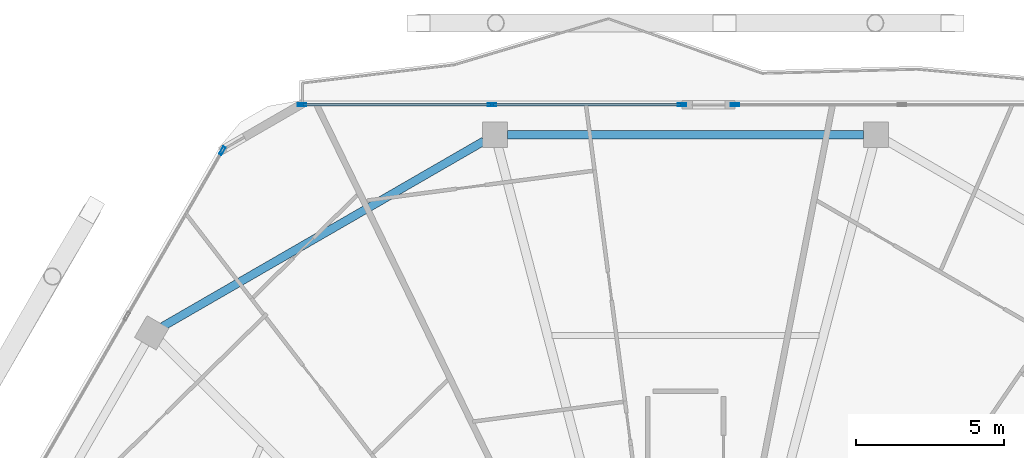
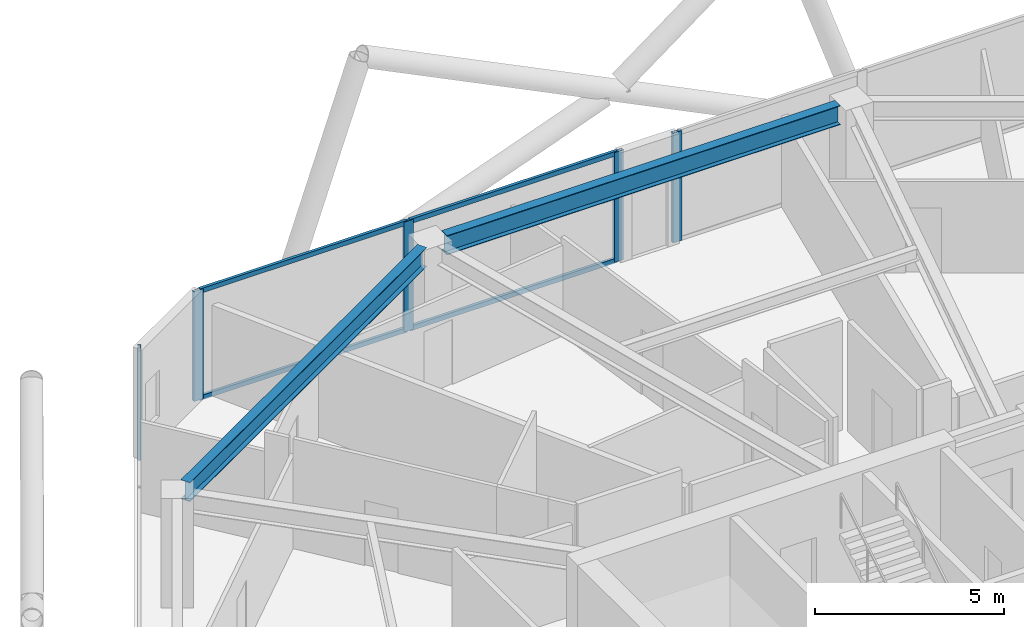
# One storey, part 15 of 27: 9 members, 2 beams, 3 elements without a shape of their own.
"""IFC4 building model written with IfcOpenShell, lengths in metres."""

from ifc_helpers import new_model, si_unit, direction, frame, origin, origin_2d, place, context, subcontext, project, spatial, hollow_rectangle, i_section, extrude, material, material_profile, profile_set, type_object, element, aggregate, save


model = new_model("IFC4")

# Units and contexts
model_context = context("Model", 3, precision=1e-05, world=origin(), true_north=direction((0.0, 1.0)))
body_context = subcontext(model_context, "Body", "Model", "MODEL_VIEW")
ifc_project = project(units=[si_unit("LENGTHUNIT", "METRE"), si_unit("AREAUNIT", "SQUARE_METRE"), si_unit("VOLUMEUNIT", "CUBIC_METRE"), si_unit("PLANEANGLEUNIT", "RADIAN"), si_unit("MASSUNIT", "GRAM", prefix="KILO")], contexts=[model_context])

# Site, building, storey
site_placement = place(None, origin())
site = spatial("IfcSite", under=ifc_project, at=site_placement, CompositionType="ELEMENT")
building_placement = place(site_placement, origin())
building = spatial("IfcBuilding", under=site, at=building_placement, Name="Zuhravey Tower", CompositionType="ELEMENT")
storey_placement = place(building_placement, frame((0.0, 0.0, 276.800048828125)))
storey = spatial("IfcBuildingStorey", under=building, at=storey_placement, Name="L70", CompositionType="ELEMENT", Elevation=276.800048828125)

# Curtain wall, member
ifc_material_1 = material(Name="Thermally broken anodised aluminium", Category="aluminium")
curtain_wall_type = type_object("IfcCurtainWallType", Name="Zone 3-4 High-Rise Curtain Wall CW4", PredefinedType="NOTDEFINED", material=ifc_material_1)
curtain_wall_1_placement = place(storey_placement, origin())
curtain_wall_1 = element("IfcCurtainWall", 1, at=curtain_wall_1_placement, inside=storey, type_object=curtain_wall_type, Name="L70 CW4 CW-L70-F3-1", PredefinedType="NOTDEFINED")
ifc_material_2 = material(Name="Anodised aluminium", Category="aluminium")
ifc_material_profile_1 = material_profile(ifc_material_2, hollow_rectangle(XDim=0.090087890625, YDim=0.284912109375, WallThickness=0.0048828125, at=origin_2d()), Name="ALU-RHS-90x285x5")
ifc_profile_set_1 = profile_set([ifc_material_profile_1], Name="Anodised aluminium")
member_type_1 = type_object("IfcMemberType", Name="Curtain-Wall Mullion 90x180", PredefinedType="MULLION", material=ifc_profile_set_1)
member_1_placement = place(storey_placement, frame((20.34521484375, 56.01220703125, 0.0), z_axis=(0.0, 0.0, 1.0), x_axis=(-0.866024851021, 0.500000957414, 0.0)))
member_1 = element("IfcMember", 2, at=member_1_placement, type_object=member_type_1, Name="CW4 mullion 5", PredefinedType="MULLION", context=body_context, shape_type="SweptSolid", body=[
    extrude(hollow_rectangle(XDim=0.090087890625, YDim=0.284912109375, WallThickness=0.0048828125, at=origin_2d()), origin(), (0.0, 0.0, 1.0), 3.550048828125),
])
aggregate(curtain_wall_1, [member_1])

# Curtain wall, members
curtain_wall_2_placement = place(storey_placement, origin())
curtain_wall_2 = element("IfcCurtainWall", 3, at=curtain_wall_2_placement, inside=storey, type_object=curtain_wall_type, Name="L70 CW4 CW-L70-F2-1", PredefinedType="NOTDEFINED")
member_2_placement = place(storey_placement, frame((23.0322265625, 57.563720703125, 0.0), z_axis=(0.0, 0.0, 1.0), x_axis=(0.0, 1.0, 0.0)))
member_2 = element("IfcMember", 4, at=member_2_placement, type_object=member_type_1, Name="CW4 mullion 1", PredefinedType="MULLION", context=body_context, shape_type="SweptSolid", body=[
    extrude(hollow_rectangle(XDim=0.090087890625, YDim=0.284912109375, WallThickness=0.0048828125, at=origin_2d()), origin(), (0.0, 0.0, 1.0), 3.550048828125),
])
member_3_placement = place(storey_placement, frame((29.45849609375, 57.563720703125, 0.0), z_axis=(0.0, 0.0, 1.0), x_axis=(0.0, 1.0, 0.0)))
member_3 = element("IfcMember", 5, at=member_3_placement, type_object=member_type_1, Name="CW4 mullion 2", PredefinedType="MULLION", context=body_context, shape_type="SweptSolid", body=[
    extrude(hollow_rectangle(XDim=0.090087890625, YDim=0.284912109375, WallThickness=0.0048828125, at=origin_2d()), origin(), (0.0, 0.0, 1.0), 3.550048828125),
])
member_4_placement = place(storey_placement, frame((35.884521484375, 57.563720703125, 0.0), z_axis=(0.0, 0.0, 1.0), x_axis=(0.0, 1.0, 0.0)))
member_4 = element("IfcMember", 6, at=member_4_placement, type_object=member_type_1, Name="CW4 mullion 3", PredefinedType="MULLION", context=body_context, shape_type="SweptSolid", body=[
    extrude(hollow_rectangle(XDim=0.090087890625, YDim=0.284912109375, WallThickness=0.0048828125, at=origin_2d()), origin(), (0.0, 0.0, 1.0), 3.550048828125),
])

# Curtain wall, member
curtain_wall_3_placement = place(storey_placement, origin())
curtain_wall_3 = element("IfcCurtainWall", 7, at=curtain_wall_3_placement, inside=storey, type_object=curtain_wall_type, Name="L70 CW4 CW-L70-F2-2", PredefinedType="NOTDEFINED")
member_5_placement = place(storey_placement, frame((37.674560546875, 57.563720703125, 0.0), z_axis=(0.0, 0.0, 1.0), x_axis=(0.0, 1.0, 0.0)))
member_5 = element("IfcMember", 8, at=member_5_placement, type_object=member_type_1, Name="CW4 mullion 1", PredefinedType="MULLION", context=body_context, shape_type="SweptSolid", body=[
    extrude(hollow_rectangle(XDim=0.090087890625, YDim=0.284912109375, WallThickness=0.0048828125, at=origin_2d()), origin(), (0.0, 0.0, 1.0), 3.550048828125),
])
aggregate(curtain_wall_3, [member_5])

# Member
ifc_material_profile_2 = material_profile(ifc_material_2, hollow_rectangle(XDim=0.090087890625, YDim=0.14990234375, WallThickness=0.0048828125, at=origin_2d()), Name="ALU-RHS-90x150x5")
ifc_profile_set_2 = profile_set([ifc_material_profile_2], Name="Anodised aluminium")
member_type_2 = type_object("IfcMemberType", Name="Curtain-Wall Transom 90x150", PredefinedType="USERDEFINED", material=ifc_profile_set_2)
member_6_placement = place(storey_placement, frame((23.077392578125, 57.563720703125, 0.044921875), z_axis=(1.0, 0.0, 0.0), x_axis=(0.0, 1.0, 0.0)))
member_6 = element("IfcMember", 9, at=member_6_placement, type_object=member_type_2, Name="CW4 transom 1.1", ObjectType="TRANSOM", PredefinedType="USERDEFINED", context=body_context, shape_type="SweptSolid", body=[
    extrude(hollow_rectangle(XDim=0.090087890625, YDim=0.14990234375, WallThickness=0.0048828125, at=origin_2d()), origin(), (0.0, 0.0, 1.0), 6.3359375),
])

member_7_placement = place(storey_placement, frame((23.077392578125, 57.563720703125, 3.5048828125), z_axis=(1.0, 0.0, 0.0), x_axis=(0.0, 1.0, 0.0)))
member_7 = element("IfcMember", 10, at=member_7_placement, type_object=member_type_2, Name="CW4 transom 1.2", ObjectType="TRANSOM", PredefinedType="USERDEFINED", context=body_context, shape_type="SweptSolid", body=[
    extrude(hollow_rectangle(XDim=0.090087890625, YDim=0.14990234375, WallThickness=0.0048828125, at=origin_2d()), origin(), (0.0, 0.0, 1.0), 6.3359375),
])

member_8_placement = place(storey_placement, frame((29.50341796875, 57.563720703125, 0.044921875), z_axis=(1.0, 0.0, 0.0), x_axis=(0.0, 1.0, 0.0)))
member_8 = element("IfcMember", 11, at=member_8_placement, type_object=member_type_2, Name="CW4 transom 2.1", ObjectType="TRANSOM", PredefinedType="USERDEFINED", context=body_context, shape_type="SweptSolid", body=[
    extrude(hollow_rectangle(XDim=0.090087890625, YDim=0.14990234375, WallThickness=0.0048828125, at=origin_2d()), origin(), (0.0, 0.0, 1.0), 6.336181640625),
])

member_9_placement = place(storey_placement, frame((29.50341796875, 57.563720703125, 3.5048828125), z_axis=(1.0, 0.0, 0.0), x_axis=(0.0, 1.0, 0.0)))
member_9 = element("IfcMember", 12, at=member_9_placement, type_object=member_type_2, Name="CW4 transom 2.2", ObjectType="TRANSOM", PredefinedType="USERDEFINED", context=body_context, shape_type="SweptSolid", body=[
    extrude(hollow_rectangle(XDim=0.090087890625, YDim=0.14990234375, WallThickness=0.0048828125, at=origin_2d()), origin(), (0.0, 0.0, 1.0), 6.336181640625),
])

aggregate(curtain_wall_2, [member_2, member_3, member_4, member_6, member_7, member_8, member_9])

# Beams
ifc_material_3 = material(Name="Steel SM355", Category="steel")
ifc_material_profile_3 = material_profile(ifc_material_3, i_section(OverallWidth=0.280029296875, OverallDepth=0.6201171875, WebThickness=0.011962890625, FlangeThickness=0.02001953125, at=origin_2d()), Name="H-620x280x12x20")
ifc_profile_set_3 = profile_set([ifc_material_profile_3], Name="Steel SM355")
beam_type = type_object("IfcBeamType", Name="Perimeter Ring Beam H620x280", PredefinedType="BEAM", material=ifc_profile_set_3)
beam_1_placement = place(storey_placement, frame((42.012939453125, 56.5537109375, 3.239990234375), z_axis=(-1.0, 0.0, 0.0), x_axis=(0.0, -1.0, 0.0)))
element("IfcBeam", 13, at=beam_1_placement, inside=storey, type_object=beam_type, Name="L70 PB3 BM-L70-PB-03", PredefinedType="BEAM", context=body_context, shape_type="SweptSolid", body=[
    extrude(i_section(OverallWidth=0.280029296875, OverallDepth=0.6201171875, WebThickness=0.011962890625, FlangeThickness=0.02001953125, at=origin_2d()), origin(), (0.0, 0.0, 1.0), 12.02587890625),
])
beam_2_placement = place(storey_placement, frame((29.1884765625, 56.339599609375, 3.239990234375), z_axis=(-0.866018312875, -0.500012281615, 0.0), x_axis=(0.500012281615, -0.866018312875, 0.0)))
element("IfcBeam", 14, at=beam_2_placement, inside=storey, type_object=beam_type, Name="L70 PB3 BM-L70-PB-04", PredefinedType="BEAM", context=body_context, shape_type="SweptSolid", body=[
    extrude(i_section(OverallWidth=0.280029296875, OverallDepth=0.6201171875, WebThickness=0.011962890625, FlangeThickness=0.02001953125, at=origin_2d()), origin(), (0.0, 0.0, 1.0), 12.541748046875),
])

save(model, "model.ifc")
